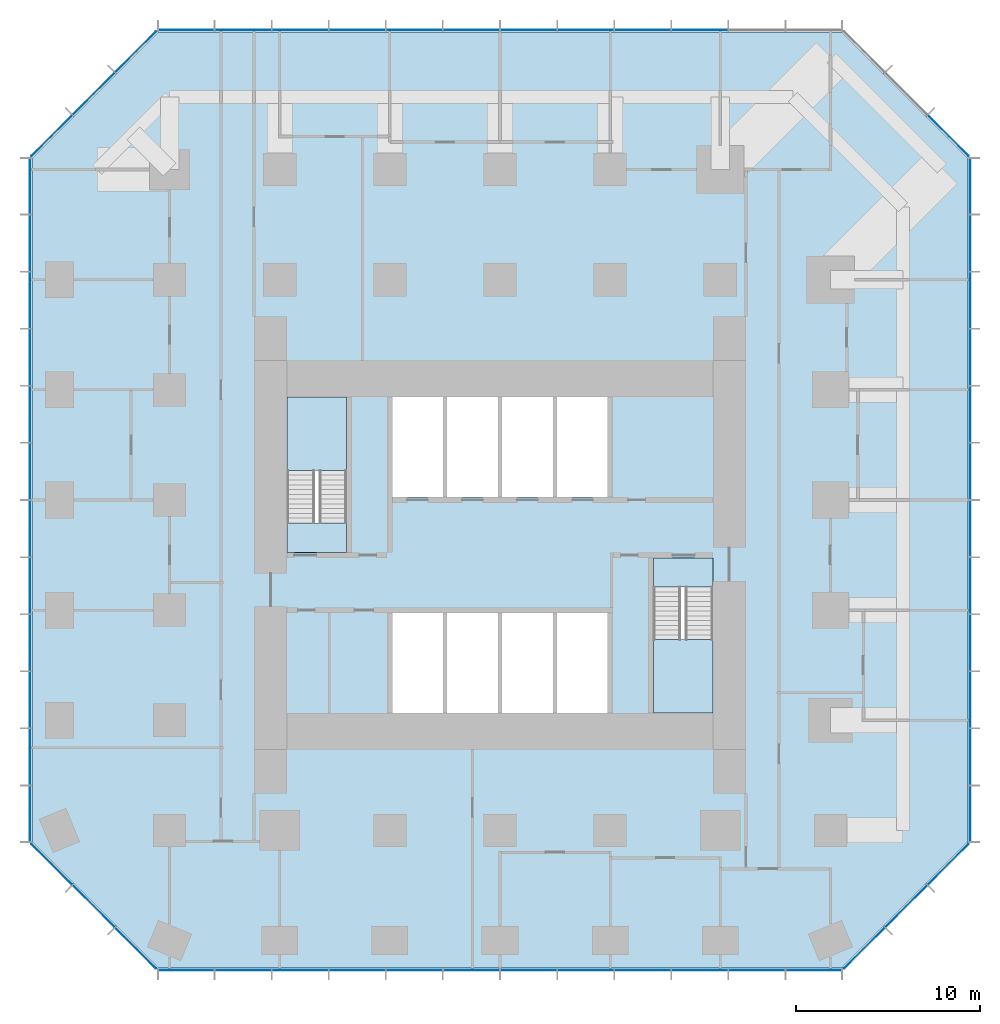
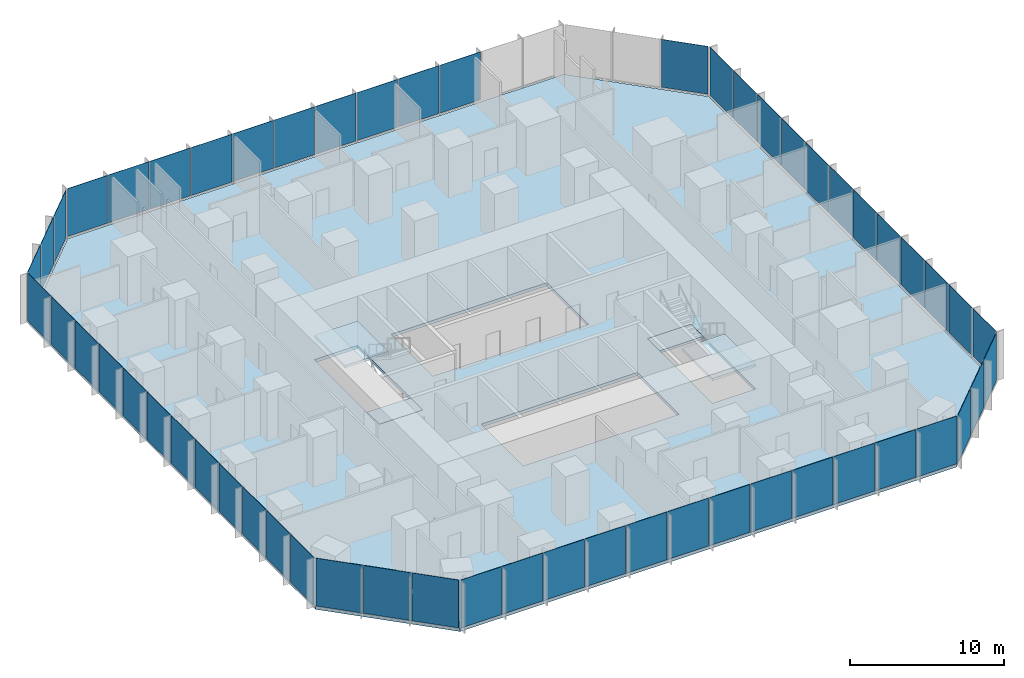
# One storey, part 7 of 12: 56 plates, 5 slabs, 10 elements without a shape of their own.
"""IFC4 building model written with IfcOpenShell, lengths in metres."""

from ifc_helpers import new_model, si_unit, direction, frame, origin, origin_2d, place, context, subcontext, project, spatial, polyline, rectangle, outline, extrude, material, layer, layer_set, type_object, element, aggregate, save


model = new_model("IFC4")

# Units and contexts
model_context = context("Model", 3, precision=1e-05, world=origin(), true_north=direction((0.0, 1.0)))
body_context = subcontext(model_context, "Body", "Model", "MODEL_VIEW")
ifc_project = project(units=[si_unit("LENGTHUNIT", "METRE"), si_unit("AREAUNIT", "SQUARE_METRE"), si_unit("VOLUMEUNIT", "CUBIC_METRE"), si_unit("PLANEANGLEUNIT", "RADIAN"), si_unit("MASSUNIT", "GRAM", prefix="KILO")], contexts=[model_context])

# Site, building, storey
site_placement = place(None, origin())
site = spatial("IfcSite", under=ifc_project, at=site_placement, CompositionType="ELEMENT")
building_placement = place(site_placement, origin())
building = spatial("IfcBuilding", under=site, at=building_placement, Name="Highveld Stack Headquarters", CompositionType="ELEMENT")
storey_placement = place(building_placement, frame((0.0, 0.0, 76.699951171875)))
storey = spatial("IfcBuildingStorey", under=building, at=storey_placement, Name="L18", CompositionType="ELEMENT", Elevation=76.699951171875)

# Curtain wall, plates
ifc_material_1 = material(Name="Aluminium bronze anodised", Category="aluminium")
ifc_layer_1 = layer(ifc_material_1, 0.199951171875)
ifc_layer_set_1 = layer_set([ifc_layer_1], Name="Aluminium bronze anodised")
curtain_wall_type_1 = type_object("IfcCurtainWallType", Name="CW1 TOWER UNITISED CURTAIN WALL", PredefinedType="NOTDEFINED", material=ifc_layer_set_1)
curtain_wall_1_placement = place(storey_placement, origin())
curtain_wall_1 = element("IfcCurtainWall", 1, at=curtain_wall_1_placement, inside=storey, type_object=curtain_wall_type_1, Name="Curtain wall CW1 L18 S", PredefinedType="NOTDEFINED")
ifc_material_2 = material(Name="Glass bronze tinted double glazed unit", Category="glass")
ifc_layer_2 = layer(ifc_material_2, 0.028076171875)
ifc_layer_set_2 = layer_set([ifc_layer_2], Name="Glass bronze tinted double glazed unit")
plate_type_1 = type_object("IfcPlateType", Name="CW1 PANEL BRONZE TINTED DOUBLE GLAZED UNIT", PredefinedType="CURTAIN_PANEL", material=ifc_layer_set_2)
plate_1_placement = place(storey_placement, frame((-11.09130859375, -19.60009765625, 0.10009765625), z_axis=(0.0, 0.0, 1.0), x_axis=(1.0, 0.0, 0.0)))
plate_1 = element("IfcPlate", 2, at=plate_1_placement, type_object=plate_type_1, Name="CW1 panel L18 1.1", PredefinedType="CURTAIN_PANEL", context=body_context, shape_type="SweptSolid", body=[
    extrude(rectangle(XDim=3.012939453125, YDim=0.028076171875, at=origin_2d()), origin(), (0.0, 0.0, 1.0), 3.800048828125),
])
plate_2_placement = place(storey_placement, frame((-7.9970703125, -19.60009765625, 0.10009765625), z_axis=(0.0, 0.0, 1.0), x_axis=(1.0, 0.0, 0.0)))
plate_2 = element("IfcPlate", 3, at=plate_2_placement, type_object=plate_type_1, Name="CW1 panel L18 2.1", PredefinedType="CURTAIN_PANEL", context=body_context, shape_type="SweptSolid", body=[
    extrude(rectangle(XDim=3.04541015625, YDim=0.028076171875, at=origin_2d()), origin(), (0.0, 0.0, 1.0), 3.800048828125),
])
plate_3_placement = place(storey_placement, frame((-4.88671875, -19.60009765625, 0.10009765625), z_axis=(0.0, 0.0, 1.0), x_axis=(1.0, 0.0, 0.0)))
plate_3 = element("IfcPlate", 4, at=plate_3_placement, type_object=plate_type_1, Name="CW1 panel L18 3.1", PredefinedType="CURTAIN_PANEL", context=body_context, shape_type="SweptSolid", body=[
    extrude(rectangle(XDim=3.04541015625, YDim=0.028076171875, at=origin_2d()), origin(), (0.0, 0.0, 1.0), 3.800048828125),
])
plate_4_placement = place(storey_placement, frame((-1.776123046875, -19.60009765625, 0.10009765625), z_axis=(0.0, 0.0, 1.0), x_axis=(1.0, 0.0, 0.0)))
plate_4 = element("IfcPlate", 5, at=plate_4_placement, type_object=plate_type_1, Name="CW1 panel L18 4.1", PredefinedType="CURTAIN_PANEL", context=body_context, shape_type="SweptSolid", body=[
    extrude(rectangle(XDim=3.04541015625, YDim=0.028076171875, at=origin_2d()), origin(), (0.0, 0.0, 1.0), 3.800048828125),
])
plate_5_placement = place(storey_placement, frame((1.334228515625, -19.60009765625, 0.10009765625), z_axis=(0.0, 0.0, 1.0), x_axis=(1.0, 0.0, 0.0)))
plate_5 = element("IfcPlate", 6, at=plate_5_placement, type_object=plate_type_1, Name="CW1 panel L18 5.1", PredefinedType="CURTAIN_PANEL", context=body_context, shape_type="SweptSolid", body=[
    extrude(rectangle(XDim=3.04541015625, YDim=0.028076171875, at=origin_2d()), origin(), (0.0, 0.0, 1.0), 3.800048828125),
])
plate_6_placement = place(storey_placement, frame((4.44482421875, -19.60009765625, 0.10009765625), z_axis=(0.0, 0.0, 1.0), x_axis=(1.0, 0.0, 0.0)))
plate_6 = element("IfcPlate", 7, at=plate_6_placement, type_object=plate_type_1, Name="CW1 panel L18 6.1", PredefinedType="CURTAIN_PANEL", context=body_context, shape_type="SweptSolid", body=[
    extrude(rectangle(XDim=3.04541015625, YDim=0.028076171875, at=origin_2d()), origin(), (0.0, 0.0, 1.0), 3.800048828125),
])
plate_7_placement = place(storey_placement, frame((7.55517578125, -19.60009765625, 0.10009765625), z_axis=(0.0, 0.0, 1.0), x_axis=(1.0, 0.0, 0.0)))
plate_7 = element("IfcPlate", 8, at=plate_7_placement, type_object=plate_type_1, Name="CW1 panel L18 7.1", PredefinedType="CURTAIN_PANEL", context=body_context, shape_type="SweptSolid", body=[
    extrude(rectangle(XDim=3.04541015625, YDim=0.028076171875, at=origin_2d()), origin(), (0.0, 0.0, 1.0), 3.800048828125),
])
plate_8_placement = place(storey_placement, frame((10.665771484375, -19.60009765625, 0.10009765625), z_axis=(0.0, 0.0, 1.0), x_axis=(1.0, 0.0, 0.0)))
plate_8 = element("IfcPlate", 9, at=plate_8_placement, type_object=plate_type_1, Name="CW1 panel L18 8.1", PredefinedType="CURTAIN_PANEL", context=body_context, shape_type="SweptSolid", body=[
    extrude(rectangle(XDim=3.04541015625, YDim=0.028076171875, at=origin_2d()), origin(), (0.0, 0.0, 1.0), 3.800048828125),
])
plate_9_placement = place(storey_placement, frame((13.776123046875, -19.60009765625, 0.10009765625), z_axis=(0.0, 0.0, 1.0), x_axis=(1.0, 0.0, 0.0)))
plate_9 = element("IfcPlate", 10, at=plate_9_placement, type_object=plate_type_1, Name="CW1 panel L18 9.1", PredefinedType="CURTAIN_PANEL", context=body_context, shape_type="SweptSolid", body=[
    extrude(rectangle(XDim=3.04541015625, YDim=0.028076171875, at=origin_2d()), origin(), (0.0, 0.0, 1.0), 3.800048828125),
])
plate_10_placement = place(storey_placement, frame((16.88671875, -19.60009765625, 0.10009765625), z_axis=(0.0, 0.0, 1.0), x_axis=(1.0, 0.0, 0.0)))
plate_10 = element("IfcPlate", 11, at=plate_10_placement, type_object=plate_type_1, Name="CW1 panel L18 10.1", PredefinedType="CURTAIN_PANEL", context=body_context, shape_type="SweptSolid", body=[
    extrude(rectangle(XDim=3.04541015625, YDim=0.028076171875, at=origin_2d()), origin(), (0.0, 0.0, 1.0), 3.800048828125),
])
plate_11_placement = place(storey_placement, frame((19.9970703125, -19.60009765625, 0.10009765625), z_axis=(0.0, 0.0, 1.0), x_axis=(1.0, 0.0, 0.0)))
plate_11 = element("IfcPlate", 12, at=plate_11_placement, type_object=plate_type_1, Name="CW1 panel L18 11.1", PredefinedType="CURTAIN_PANEL", context=body_context, shape_type="SweptSolid", body=[
    extrude(rectangle(XDim=3.04541015625, YDim=0.028076171875, at=origin_2d()), origin(), (0.0, 0.0, 1.0), 3.800048828125),
])
plate_12_placement = place(storey_placement, frame((23.09130859375, -19.60009765625, 0.10009765625), z_axis=(0.0, 0.0, 1.0), x_axis=(1.0, 0.0, 0.0)))
plate_12 = element("IfcPlate", 13, at=plate_12_placement, type_object=plate_type_1, Name="CW1 panel L18 12.1", PredefinedType="CURTAIN_PANEL", context=body_context, shape_type="SweptSolid", body=[
    extrude(rectangle(XDim=3.012939453125, YDim=0.028076171875, at=origin_2d()), origin(), (0.0, 0.0, 1.0), 3.800048828125),
])
aggregate(curtain_wall_1, [plate_1, plate_2, plate_3, plate_4, plate_5, plate_6, plate_7, plate_8, plate_9, plate_10, plate_11, plate_12])

curtain_wall_2_placement = place(storey_placement, origin())
curtain_wall_2 = element("IfcCurtainWall", 14, at=curtain_wall_2_placement, inside=storey, type_object=curtain_wall_type_1, Name="Curtain wall CW1 L18 E", PredefinedType="NOTDEFINED")
plate_13_placement = place(storey_placement, frame((31.60009765625, -11.09130859375, 0.10009765625), z_axis=(0.0, 0.0, 1.0), x_axis=(0.0, 1.0, 0.0)))
plate_13 = element("IfcPlate", 15, at=plate_13_placement, type_object=plate_type_1, Name="CW1 panel L18 1.1", PredefinedType="CURTAIN_PANEL", context=body_context, shape_type="SweptSolid", body=[
    extrude(rectangle(XDim=3.012939453125, YDim=0.028076171875, at=origin_2d()), origin(), (0.0, 0.0, 1.0), 3.800048828125),
])
plate_14_placement = place(storey_placement, frame((31.60009765625, -7.9970703125, 0.10009765625), z_axis=(0.0, 0.0, 1.0), x_axis=(0.0, 1.0, 0.0)))
plate_14 = element("IfcPlate", 16, at=plate_14_placement, type_object=plate_type_1, Name="CW1 panel L18 2.1", PredefinedType="CURTAIN_PANEL", context=body_context, shape_type="SweptSolid", body=[
    extrude(rectangle(XDim=3.04541015625, YDim=0.028076171875, at=origin_2d()), origin(), (0.0, 0.0, 1.0), 3.800048828125),
])
plate_15_placement = place(storey_placement, frame((31.60009765625, -4.88671875, 0.10009765625), z_axis=(0.0, 0.0, 1.0), x_axis=(0.0, 1.0, 0.0)))
plate_15 = element("IfcPlate", 17, at=plate_15_placement, type_object=plate_type_1, Name="CW1 panel L18 3.1", PredefinedType="CURTAIN_PANEL", context=body_context, shape_type="SweptSolid", body=[
    extrude(rectangle(XDim=3.04541015625, YDim=0.028076171875, at=origin_2d()), origin(), (0.0, 0.0, 1.0), 3.800048828125),
])
plate_16_placement = place(storey_placement, frame((31.60009765625, -1.776123046875, 0.10009765625), z_axis=(0.0, 0.0, 1.0), x_axis=(0.0, 1.0, 0.0)))
plate_16 = element("IfcPlate", 18, at=plate_16_placement, type_object=plate_type_1, Name="CW1 panel L18 4.1", PredefinedType="CURTAIN_PANEL", context=body_context, shape_type="SweptSolid", body=[
    extrude(rectangle(XDim=3.04541015625, YDim=0.028076171875, at=origin_2d()), origin(), (0.0, 0.0, 1.0), 3.800048828125),
])
plate_17_placement = place(storey_placement, frame((31.60009765625, 1.334228515625, 0.10009765625), z_axis=(0.0, 0.0, 1.0), x_axis=(0.0, 1.0, 0.0)))
plate_17 = element("IfcPlate", 19, at=plate_17_placement, type_object=plate_type_1, Name="CW1 panel L18 5.1", PredefinedType="CURTAIN_PANEL", context=body_context, shape_type="SweptSolid", body=[
    extrude(rectangle(XDim=3.04541015625, YDim=0.028076171875, at=origin_2d()), origin(), (0.0, 0.0, 1.0), 3.800048828125),
])
plate_18_placement = place(storey_placement, frame((31.60009765625, 4.44482421875, 0.10009765625), z_axis=(0.0, 0.0, 1.0), x_axis=(0.0, 1.0, 0.0)))
plate_18 = element("IfcPlate", 20, at=plate_18_placement, type_object=plate_type_1, Name="CW1 panel L18 6.1", PredefinedType="CURTAIN_PANEL", context=body_context, shape_type="SweptSolid", body=[
    extrude(rectangle(XDim=3.04541015625, YDim=0.028076171875, at=origin_2d()), origin(), (0.0, 0.0, 1.0), 3.800048828125),
])
plate_19_placement = place(storey_placement, frame((31.60009765625, 7.55517578125, 0.10009765625), z_axis=(0.0, 0.0, 1.0), x_axis=(0.0, 1.0, 0.0)))
plate_19 = element("IfcPlate", 21, at=plate_19_placement, type_object=plate_type_1, Name="CW1 panel L18 7.1", PredefinedType="CURTAIN_PANEL", context=body_context, shape_type="SweptSolid", body=[
    extrude(rectangle(XDim=3.04541015625, YDim=0.028076171875, at=origin_2d()), origin(), (0.0, 0.0, 1.0), 3.800048828125),
])
plate_20_placement = place(storey_placement, frame((31.60009765625, 10.665771484375, 0.10009765625), z_axis=(0.0, 0.0, 1.0), x_axis=(0.0, 1.0, 0.0)))
plate_20 = element("IfcPlate", 22, at=plate_20_placement, type_object=plate_type_1, Name="CW1 panel L18 8.1", PredefinedType="CURTAIN_PANEL", context=body_context, shape_type="SweptSolid", body=[
    extrude(rectangle(XDim=3.04541015625, YDim=0.028076171875, at=origin_2d()), origin(), (0.0, 0.0, 1.0), 3.800048828125),
])
plate_21_placement = place(storey_placement, frame((31.60009765625, 13.776123046875, 0.10009765625), z_axis=(0.0, 0.0, 1.0), x_axis=(0.0, 1.0, 0.0)))
plate_21 = element("IfcPlate", 23, at=plate_21_placement, type_object=plate_type_1, Name="CW1 panel L18 9.1", PredefinedType="CURTAIN_PANEL", context=body_context, shape_type="SweptSolid", body=[
    extrude(rectangle(XDim=3.04541015625, YDim=0.028076171875, at=origin_2d()), origin(), (0.0, 0.0, 1.0), 3.800048828125),
])
plate_22_placement = place(storey_placement, frame((31.60009765625, 16.88671875, 0.10009765625), z_axis=(0.0, 0.0, 1.0), x_axis=(0.0, 1.0, 0.0)))
plate_22 = element("IfcPlate", 24, at=plate_22_placement, type_object=plate_type_1, Name="CW1 panel L18 10.1", PredefinedType="CURTAIN_PANEL", context=body_context, shape_type="SweptSolid", body=[
    extrude(rectangle(XDim=3.04541015625, YDim=0.028076171875, at=origin_2d()), origin(), (0.0, 0.0, 1.0), 3.800048828125),
])
plate_23_placement = place(storey_placement, frame((31.60009765625, 19.9970703125, 0.10009765625), z_axis=(0.0, 0.0, 1.0), x_axis=(0.0, 1.0, 0.0)))
plate_23 = element("IfcPlate", 25, at=plate_23_placement, type_object=plate_type_1, Name="CW1 panel L18 11.1", PredefinedType="CURTAIN_PANEL", context=body_context, shape_type="SweptSolid", body=[
    extrude(rectangle(XDim=3.04541015625, YDim=0.028076171875, at=origin_2d()), origin(), (0.0, 0.0, 1.0), 3.800048828125),
])
plate_24_placement = place(storey_placement, frame((31.60009765625, 23.09130859375, 0.10009765625), z_axis=(0.0, 0.0, 1.0), x_axis=(0.0, 1.0, 0.0)))
plate_24 = element("IfcPlate", 26, at=plate_24_placement, type_object=plate_type_1, Name="CW1 panel L18 12.1", PredefinedType="CURTAIN_PANEL", context=body_context, shape_type="SweptSolid", body=[
    extrude(rectangle(XDim=3.012939453125, YDim=0.028076171875, at=origin_2d()), origin(), (0.0, 0.0, 1.0), 3.800048828125),
])
aggregate(curtain_wall_2, [plate_13, plate_14, plate_15, plate_16, plate_17, plate_18, plate_19, plate_20, plate_21, plate_22, plate_23, plate_24])

curtain_wall_3_placement = place(storey_placement, origin())
curtain_wall_3 = element("IfcCurtainWall", 27, at=curtain_wall_3_placement, inside=storey, type_object=curtain_wall_type_1, Name="Curtain wall CW1 L18 N", PredefinedType="NOTDEFINED")
plate_25_placement = place(storey_placement, frame((16.88671875, 31.60009765625, 0.10009765625), z_axis=(0.0, 0.0, 1.0), x_axis=(-1.0, 0.0, 0.0)))
plate_25 = element("IfcPlate", 28, at=plate_25_placement, type_object=plate_type_1, Name="CW1 panel L18 3.1", PredefinedType="CURTAIN_PANEL", context=body_context, shape_type="SweptSolid", body=[
    extrude(rectangle(XDim=3.04541015625, YDim=0.028076171875, at=origin_2d()), origin(), (0.0, 0.0, 1.0), 3.800048828125),
])
plate_26_placement = place(storey_placement, frame((13.776123046875, 31.60009765625, 0.10009765625), z_axis=(0.0, 0.0, 1.0), x_axis=(-1.0, 0.0, 0.0)))
plate_26 = element("IfcPlate", 29, at=plate_26_placement, type_object=plate_type_1, Name="CW1 panel L18 4.1", PredefinedType="CURTAIN_PANEL", context=body_context, shape_type="SweptSolid", body=[
    extrude(rectangle(XDim=3.04541015625, YDim=0.028076171875, at=origin_2d()), origin(), (0.0, 0.0, 1.0), 3.800048828125),
])
plate_27_placement = place(storey_placement, frame((10.665771484375, 31.60009765625, 0.10009765625), z_axis=(0.0, 0.0, 1.0), x_axis=(-1.0, 0.0, 0.0)))
plate_27 = element("IfcPlate", 30, at=plate_27_placement, type_object=plate_type_1, Name="CW1 panel L18 5.1", PredefinedType="CURTAIN_PANEL", context=body_context, shape_type="SweptSolid", body=[
    extrude(rectangle(XDim=3.04541015625, YDim=0.028076171875, at=origin_2d()), origin(), (0.0, 0.0, 1.0), 3.800048828125),
])
plate_28_placement = place(storey_placement, frame((7.55517578125, 31.60009765625, 0.10009765625), z_axis=(0.0, 0.0, 1.0), x_axis=(-1.0, 0.0, 0.0)))
plate_28 = element("IfcPlate", 31, at=plate_28_placement, type_object=plate_type_1, Name="CW1 panel L18 6.1", PredefinedType="CURTAIN_PANEL", context=body_context, shape_type="SweptSolid", body=[
    extrude(rectangle(XDim=3.04541015625, YDim=0.028076171875, at=origin_2d()), origin(), (0.0, 0.0, 1.0), 3.800048828125),
])
plate_29_placement = place(storey_placement, frame((4.44482421875, 31.60009765625, 0.10009765625), z_axis=(0.0, 0.0, 1.0), x_axis=(-1.0, 0.0, 0.0)))
plate_29 = element("IfcPlate", 32, at=plate_29_placement, type_object=plate_type_1, Name="CW1 panel L18 7.1", PredefinedType="CURTAIN_PANEL", context=body_context, shape_type="SweptSolid", body=[
    extrude(rectangle(XDim=3.04541015625, YDim=0.028076171875, at=origin_2d()), origin(), (0.0, 0.0, 1.0), 3.800048828125),
])
plate_30_placement = place(storey_placement, frame((1.334228515625, 31.60009765625, 0.10009765625), z_axis=(0.0, 0.0, 1.0), x_axis=(-1.0, 0.0, 0.0)))
plate_30 = element("IfcPlate", 33, at=plate_30_placement, type_object=plate_type_1, Name="CW1 panel L18 8.1", PredefinedType="CURTAIN_PANEL", context=body_context, shape_type="SweptSolid", body=[
    extrude(rectangle(XDim=3.04541015625, YDim=0.028076171875, at=origin_2d()), origin(), (0.0, 0.0, 1.0), 3.800048828125),
])
plate_31_placement = place(storey_placement, frame((-1.776123046875, 31.60009765625, 0.10009765625), z_axis=(0.0, 0.0, 1.0), x_axis=(-1.0, 0.0, 0.0)))
plate_31 = element("IfcPlate", 34, at=plate_31_placement, type_object=plate_type_1, Name="CW1 panel L18 9.1", PredefinedType="CURTAIN_PANEL", context=body_context, shape_type="SweptSolid", body=[
    extrude(rectangle(XDim=3.04541015625, YDim=0.028076171875, at=origin_2d()), origin(), (0.0, 0.0, 1.0), 3.800048828125),
])
plate_32_placement = place(storey_placement, frame((-4.88671875, 31.60009765625, 0.10009765625), z_axis=(0.0, 0.0, 1.0), x_axis=(-1.0, 0.0, 0.0)))
plate_32 = element("IfcPlate", 35, at=plate_32_placement, type_object=plate_type_1, Name="CW1 panel L18 10.1", PredefinedType="CURTAIN_PANEL", context=body_context, shape_type="SweptSolid", body=[
    extrude(rectangle(XDim=3.04541015625, YDim=0.028076171875, at=origin_2d()), origin(), (0.0, 0.0, 1.0), 3.800048828125),
])
plate_33_placement = place(storey_placement, frame((-7.9970703125, 31.60009765625, 0.10009765625), z_axis=(0.0, 0.0, 1.0), x_axis=(-1.0, 0.0, 0.0)))
plate_33 = element("IfcPlate", 36, at=plate_33_placement, type_object=plate_type_1, Name="CW1 panel L18 11.1", PredefinedType="CURTAIN_PANEL", context=body_context, shape_type="SweptSolid", body=[
    extrude(rectangle(XDim=3.04541015625, YDim=0.028076171875, at=origin_2d()), origin(), (0.0, 0.0, 1.0), 3.800048828125),
])
plate_34_placement = place(storey_placement, frame((-11.09130859375, 31.60009765625, 0.10009765625), z_axis=(0.0, 0.0, 1.0), x_axis=(-1.0, 0.0, 0.0)))
plate_34 = element("IfcPlate", 37, at=plate_34_placement, type_object=plate_type_1, Name="CW1 panel L18 12.1", PredefinedType="CURTAIN_PANEL", context=body_context, shape_type="SweptSolid", body=[
    extrude(rectangle(XDim=3.012939453125, YDim=0.028076171875, at=origin_2d()), origin(), (0.0, 0.0, 1.0), 3.800048828125),
])
aggregate(curtain_wall_3, [plate_25, plate_26, plate_27, plate_28, plate_29, plate_30, plate_31, plate_32, plate_33, plate_34])

curtain_wall_4_placement = place(storey_placement, origin())
curtain_wall_4 = element("IfcCurtainWall", 38, at=curtain_wall_4_placement, inside=storey, type_object=curtain_wall_type_1, Name="Curtain wall CW1 L18 W", PredefinedType="NOTDEFINED")
plate_35_placement = place(storey_placement, frame((-19.60009765625, 23.09130859375, 0.10009765625), z_axis=(0.0, 0.0, 1.0), x_axis=(0.0, -1.0, 0.0)))
plate_35 = element("IfcPlate", 39, at=plate_35_placement, type_object=plate_type_1, Name="CW1 panel L18 1.1", PredefinedType="CURTAIN_PANEL", context=body_context, shape_type="SweptSolid", body=[
    extrude(rectangle(XDim=3.012939453125, YDim=0.028076171875, at=origin_2d()), origin(), (0.0, 0.0, 1.0), 3.800048828125),
])
plate_36_placement = place(storey_placement, frame((-19.60009765625, 19.9970703125, 0.10009765625), z_axis=(0.0, 0.0, 1.0), x_axis=(0.0, -1.0, 0.0)))
plate_36 = element("IfcPlate", 40, at=plate_36_placement, type_object=plate_type_1, Name="CW1 panel L18 2.1", PredefinedType="CURTAIN_PANEL", context=body_context, shape_type="SweptSolid", body=[
    extrude(rectangle(XDim=3.04541015625, YDim=0.028076171875, at=origin_2d()), origin(), (0.0, 0.0, 1.0), 3.800048828125),
])
plate_37_placement = place(storey_placement, frame((-19.60009765625, 16.88671875, 0.10009765625), z_axis=(0.0, 0.0, 1.0), x_axis=(0.0, -1.0, 0.0)))
plate_37 = element("IfcPlate", 41, at=plate_37_placement, type_object=plate_type_1, Name="CW1 panel L18 3.1", PredefinedType="CURTAIN_PANEL", context=body_context, shape_type="SweptSolid", body=[
    extrude(rectangle(XDim=3.04541015625, YDim=0.028076171875, at=origin_2d()), origin(), (0.0, 0.0, 1.0), 3.800048828125),
])
plate_38_placement = place(storey_placement, frame((-19.60009765625, 13.776123046875, 0.10009765625), z_axis=(0.0, 0.0, 1.0), x_axis=(0.0, -1.0, 0.0)))
plate_38 = element("IfcPlate", 42, at=plate_38_placement, type_object=plate_type_1, Name="CW1 panel L18 4.1", PredefinedType="CURTAIN_PANEL", context=body_context, shape_type="SweptSolid", body=[
    extrude(rectangle(XDim=3.04541015625, YDim=0.028076171875, at=origin_2d()), origin(), (0.0, 0.0, 1.0), 3.800048828125),
])
plate_39_placement = place(storey_placement, frame((-19.60009765625, 10.665771484375, 0.10009765625), z_axis=(0.0, 0.0, 1.0), x_axis=(0.0, -1.0, 0.0)))
plate_39 = element("IfcPlate", 43, at=plate_39_placement, type_object=plate_type_1, Name="CW1 panel L18 5.1", PredefinedType="CURTAIN_PANEL", context=body_context, shape_type="SweptSolid", body=[
    extrude(rectangle(XDim=3.04541015625, YDim=0.028076171875, at=origin_2d()), origin(), (0.0, 0.0, 1.0), 3.800048828125),
])
plate_40_placement = place(storey_placement, frame((-19.60009765625, 7.55517578125, 0.10009765625), z_axis=(0.0, 0.0, 1.0), x_axis=(0.0, -1.0, 0.0)))
plate_40 = element("IfcPlate", 44, at=plate_40_placement, type_object=plate_type_1, Name="CW1 panel L18 6.1", PredefinedType="CURTAIN_PANEL", context=body_context, shape_type="SweptSolid", body=[
    extrude(rectangle(XDim=3.04541015625, YDim=0.028076171875, at=origin_2d()), origin(), (0.0, 0.0, 1.0), 3.800048828125),
])
plate_41_placement = place(storey_placement, frame((-19.60009765625, 4.44482421875, 0.10009765625), z_axis=(0.0, 0.0, 1.0), x_axis=(0.0, -1.0, 0.0)))
plate_41 = element("IfcPlate", 45, at=plate_41_placement, type_object=plate_type_1, Name="CW1 panel L18 7.1", PredefinedType="CURTAIN_PANEL", context=body_context, shape_type="SweptSolid", body=[
    extrude(rectangle(XDim=3.04541015625, YDim=0.028076171875, at=origin_2d()), origin(), (0.0, 0.0, 1.0), 3.800048828125),
])
plate_42_placement = place(storey_placement, frame((-19.60009765625, 1.334228515625, 0.10009765625), z_axis=(0.0, 0.0, 1.0), x_axis=(0.0, -1.0, 0.0)))
plate_42 = element("IfcPlate", 46, at=plate_42_placement, type_object=plate_type_1, Name="CW1 panel L18 8.1", PredefinedType="CURTAIN_PANEL", context=body_context, shape_type="SweptSolid", body=[
    extrude(rectangle(XDim=3.04541015625, YDim=0.028076171875, at=origin_2d()), origin(), (0.0, 0.0, 1.0), 3.800048828125),
])
plate_43_placement = place(storey_placement, frame((-19.60009765625, -1.776123046875, 0.10009765625), z_axis=(0.0, 0.0, 1.0), x_axis=(0.0, -1.0, 0.0)))
plate_43 = element("IfcPlate", 47, at=plate_43_placement, type_object=plate_type_1, Name="CW1 panel L18 9.1", PredefinedType="CURTAIN_PANEL", context=body_context, shape_type="SweptSolid", body=[
    extrude(rectangle(XDim=3.04541015625, YDim=0.028076171875, at=origin_2d()), origin(), (0.0, 0.0, 1.0), 3.800048828125),
])
plate_44_placement = place(storey_placement, frame((-19.60009765625, -4.88671875, 0.10009765625), z_axis=(0.0, 0.0, 1.0), x_axis=(0.0, -1.0, 0.0)))
plate_44 = element("IfcPlate", 48, at=plate_44_placement, type_object=plate_type_1, Name="CW1 panel L18 10.1", PredefinedType="CURTAIN_PANEL", context=body_context, shape_type="SweptSolid", body=[
    extrude(rectangle(XDim=3.04541015625, YDim=0.028076171875, at=origin_2d()), origin(), (0.0, 0.0, 1.0), 3.800048828125),
])
plate_45_placement = place(storey_placement, frame((-19.60009765625, -7.9970703125, 0.10009765625), z_axis=(0.0, 0.0, 1.0), x_axis=(0.0, -1.0, 0.0)))
plate_45 = element("IfcPlate", 49, at=plate_45_placement, type_object=plate_type_1, Name="CW1 panel L18 11.1", PredefinedType="CURTAIN_PANEL", context=body_context, shape_type="SweptSolid", body=[
    extrude(rectangle(XDim=3.04541015625, YDim=0.028076171875, at=origin_2d()), origin(), (0.0, 0.0, 1.0), 3.800048828125),
])
plate_46_placement = place(storey_placement, frame((-19.60009765625, -11.09130859375, 0.10009765625), z_axis=(0.0, 0.0, 1.0), x_axis=(0.0, -1.0, 0.0)))
plate_46 = element("IfcPlate", 50, at=plate_46_placement, type_object=plate_type_1, Name="CW1 panel L18 12.1", PredefinedType="CURTAIN_PANEL", context=body_context, shape_type="SweptSolid", body=[
    extrude(rectangle(XDim=3.012939453125, YDim=0.028076171875, at=origin_2d()), origin(), (0.0, 0.0, 1.0), 3.800048828125),
])
aggregate(curtain_wall_4, [plate_35, plate_36, plate_37, plate_38, plate_39, plate_40, plate_41, plate_42, plate_43, plate_44, plate_45, plate_46])

ifc_material_3 = material(Name="Aluminium bronze anodised", Category="aluminium")
ifc_layer_3 = layer(ifc_material_3, 0.199951171875)
ifc_layer_set_3 = layer_set([ifc_layer_3], Name="Aluminium bronze anodised")
curtain_wall_type_2 = type_object("IfcCurtainWallType", Name="CW2 TOWER CHAMFER UNITISED CURTAIN WALL", PredefinedType="NOTDEFINED", material=ifc_layer_set_3)
curtain_wall_5_placement = place(storey_placement, origin())
curtain_wall_5 = element("IfcCurtainWall", 51, at=curtain_wall_5_placement, inside=storey, type_object=curtain_wall_type_2, Name="Curtain wall CW2 L18 SE", PredefinedType="NOTDEFINED")
ifc_material_4 = material(Name="Glass bronze tinted double glazed unit", Category="glass")
ifc_layer_4 = layer(ifc_material_4, 0.028076171875)
ifc_layer_set_4 = layer_set([ifc_layer_4], Name="Glass bronze tinted double glazed unit")
plate_type_2 = type_object("IfcPlateType", Name="CW2 PANEL BRONZE TINTED DOUBLE GLAZED UNIT", PredefinedType="CURTAIN_PANEL", material=ifc_layer_set_4)
plate_47_placement = place(storey_placement, frame((25.8427734375, -18.419921875, 0.10009765625), z_axis=(0.0, 0.0, 1.0), x_axis=(0.707106781187, 0.707106781187, 0.0)))
plate_47 = element("IfcPlate", 52, at=plate_47_placement, type_object=plate_type_2, Name="CW2 panel L18 1.1", PredefinedType="CURTAIN_PANEL", context=body_context, shape_type="SweptSolid", body=[
    extrude(rectangle(XDim=3.1376953125, YDim=0.028076171875, at=origin_2d()), origin(), (0.0, 0.0, 1.0), 3.800048828125),
])
plate_48_placement = place(storey_placement, frame((28.13134765625, -16.13134765625, 0.10009765625), z_axis=(0.0, 0.0, 1.0), x_axis=(0.707106781187, 0.707106781187, 0.0)))
plate_48 = element("IfcPlate", 53, at=plate_48_placement, type_object=plate_type_2, Name="CW2 panel L18 2.1", PredefinedType="CURTAIN_PANEL", context=body_context, shape_type="SweptSolid", body=[
    extrude(rectangle(XDim=3.205322265625, YDim=0.028076171875, at=origin_2d()), origin(), (0.0, 0.0, 1.0), 3.800048828125),
])
plate_49_placement = place(storey_placement, frame((30.419921875, -13.8427734375, 0.10009765625), z_axis=(0.0, 0.0, 1.0), x_axis=(0.707106781187, 0.707106781187, 0.0)))
plate_49 = element("IfcPlate", 54, at=plate_49_placement, type_object=plate_type_2, Name="CW2 panel L18 3.1", PredefinedType="CURTAIN_PANEL", context=body_context, shape_type="SweptSolid", body=[
    extrude(rectangle(XDim=3.1376953125, YDim=0.028076171875, at=origin_2d()), origin(), (0.0, 0.0, 1.0), 3.800048828125),
])
aggregate(curtain_wall_5, [plate_47, plate_48, plate_49])

# Curtain wall, plate
curtain_wall_6_placement = place(storey_placement, origin())
curtain_wall_6 = element("IfcCurtainWall", 55, at=curtain_wall_6_placement, inside=storey, type_object=curtain_wall_type_2, Name="Curtain wall CW2 L18 NE", PredefinedType="NOTDEFINED")
plate_50_placement = place(storey_placement, frame((30.419921875, 25.8427734375, 0.10009765625), z_axis=(0.0, 0.0, 1.0), x_axis=(-0.707106781187, 0.707106781187, 0.0)))
plate_50 = element("IfcPlate", 56, at=plate_50_placement, type_object=plate_type_2, Name="CW2 panel L18 1.1", PredefinedType="CURTAIN_PANEL", context=body_context, shape_type="SweptSolid", body=[
    extrude(rectangle(XDim=3.1376953125, YDim=0.028076171875, at=origin_2d()), origin(), (0.0, 0.0, 1.0), 3.800048828125),
])
aggregate(curtain_wall_6, [plate_50])

# Curtain wall, plates
curtain_wall_7_placement = place(storey_placement, origin())
curtain_wall_7 = element("IfcCurtainWall", 57, at=curtain_wall_7_placement, inside=storey, type_object=curtain_wall_type_2, Name="Curtain wall CW2 L18 NW", PredefinedType="NOTDEFINED")
plate_51_placement = place(storey_placement, frame((-13.8427734375, 30.419921875, 0.10009765625), z_axis=(0.0, 0.0, 1.0), x_axis=(-0.707106781187, -0.707106781187, 0.0)))
plate_51 = element("IfcPlate", 58, at=plate_51_placement, type_object=plate_type_2, Name="CW2 panel L18 1.1", PredefinedType="CURTAIN_PANEL", context=body_context, shape_type="SweptSolid", body=[
    extrude(rectangle(XDim=3.1376953125, YDim=0.028076171875, at=origin_2d()), origin(), (0.0, 0.0, 1.0), 3.800048828125),
])
plate_52_placement = place(storey_placement, frame((-16.13134765625, 28.13134765625, 0.10009765625), z_axis=(0.0, 0.0, 1.0), x_axis=(-0.707106781187, -0.707106781187, 0.0)))
plate_52 = element("IfcPlate", 59, at=plate_52_placement, type_object=plate_type_2, Name="CW2 panel L18 2.1", PredefinedType="CURTAIN_PANEL", context=body_context, shape_type="SweptSolid", body=[
    extrude(rectangle(XDim=3.205322265625, YDim=0.028076171875, at=origin_2d()), origin(), (0.0, 0.0, 1.0), 3.800048828125),
])
plate_53_placement = place(storey_placement, frame((-18.419921875, 25.8427734375, 0.10009765625), z_axis=(0.0, 0.0, 1.0), x_axis=(-0.707106781187, -0.707106781187, 0.0)))
plate_53 = element("IfcPlate", 60, at=plate_53_placement, type_object=plate_type_2, Name="CW2 panel L18 3.1", PredefinedType="CURTAIN_PANEL", context=body_context, shape_type="SweptSolid", body=[
    extrude(rectangle(XDim=3.1376953125, YDim=0.028076171875, at=origin_2d()), origin(), (0.0, 0.0, 1.0), 3.800048828125),
])
aggregate(curtain_wall_7, [plate_51, plate_52, plate_53])

curtain_wall_8_placement = place(storey_placement, origin())
curtain_wall_8 = element("IfcCurtainWall", 61, at=curtain_wall_8_placement, inside=storey, type_object=curtain_wall_type_2, Name="Curtain wall CW2 L18 SW", PredefinedType="NOTDEFINED")
plate_54_placement = place(storey_placement, frame((-18.419921875, -13.8427734375, 0.10009765625), z_axis=(0.0, 0.0, 1.0), x_axis=(0.707106781187, -0.707106781187, 0.0)))
plate_54 = element("IfcPlate", 62, at=plate_54_placement, type_object=plate_type_2, Name="CW2 panel L18 1.1", PredefinedType="CURTAIN_PANEL", context=body_context, shape_type="SweptSolid", body=[
    extrude(rectangle(XDim=3.1376953125, YDim=0.028076171875, at=origin_2d()), origin(), (0.0, 0.0, 1.0), 3.800048828125),
])
plate_55_placement = place(storey_placement, frame((-16.13134765625, -16.13134765625, 0.10009765625), z_axis=(0.0, 0.0, 1.0), x_axis=(0.707106781187, -0.707106781187, 0.0)))
plate_55 = element("IfcPlate", 63, at=plate_55_placement, type_object=plate_type_2, Name="CW2 panel L18 2.1", PredefinedType="CURTAIN_PANEL", context=body_context, shape_type="SweptSolid", body=[
    extrude(rectangle(XDim=3.205322265625, YDim=0.028076171875, at=origin_2d()), origin(), (0.0, 0.0, 1.0), 3.800048828125),
])
plate_56_placement = place(storey_placement, frame((-13.8427734375, -18.419921875, 0.10009765625), z_axis=(0.0, 0.0, 1.0), x_axis=(0.707106781187, -0.707106781187, 0.0)))
plate_56 = element("IfcPlate", 64, at=plate_56_placement, type_object=plate_type_2, Name="CW2 panel L18 3.1", PredefinedType="CURTAIN_PANEL", context=body_context, shape_type="SweptSolid", body=[
    extrude(rectangle(XDim=3.1376953125, YDim=0.028076171875, at=origin_2d()), origin(), (0.0, 0.0, 1.0), 3.800048828125),
])
aggregate(curtain_wall_8, [plate_54, plate_55, plate_56])

# Slab
ifc_material_5 = material(Name="Concrete C60/75", Category="concrete")
ifc_layer_5 = layer(ifc_material_5, 0.25)
ifc_layer_set_5 = layer_set([ifc_layer_5], Name="Concrete C60/75")
slab_type_1 = type_object("IfcSlabType", Name="PT FLAT SLAB 250", PredefinedType="FLOOR", material=ifc_layer_set_5)
slab_1_placement = place(storey_placement, frame((0.0, 0.0, -0.25)))
element("IfcSlab", 65, at=slab_1_placement, inside=storey, type_object=slab_type_1, Name="Floor slab L18", PredefinedType="FLOOR", context=body_context, shape_type="SweptSolid", body=[
    extrude(outline(polyline([(-12.621337890625, -19.5), (24.621337890625, -19.5), (31.5, -12.621337890625), (31.5, 24.621337890625), (24.621337890625, 31.5), (-12.621337890625, 31.5), (-19.5, 24.621337890625), (-19.5, -12.621337890625), (-12.621337890625, -19.5)]), holes=[polyline([(0.14990234375, 6.14990234375), (11.85009765625, 6.14990234375), (11.85009765625, 11.60009765625), (0.14990234375, 11.60009765625), (0.14990234375, 6.14990234375)]), polyline([(0.14990234375, -5.60009765625), (11.85009765625, -5.60009765625), (11.85009765625, -0.14990234375), (0.14990234375, -0.14990234375), (0.14990234375, -5.60009765625)]), polyline([(-5.60009765625, 3.14990234375), (-2.35009765625, 3.14990234375), (-2.35009765625, 11.60009765625), (-5.60009765625, 11.60009765625), (-5.60009765625, 3.14990234375)]), polyline([(14.35009765625, -5.60009765625), (17.60009765625, -5.60009765625), (17.60009765625, 2.85009765625), (14.35009765625, 2.85009765625), (14.35009765625, -5.60009765625)])]), origin(), (0.0, 0.0, 1.0), 0.25),
])

# Stair, slabs
ifc_material_6 = material(Name="Concrete C40/50, precast", Category="concrete")
stair_type_1 = type_object("IfcStairType", Name="STAIR S1 HALF TURN 1500", PredefinedType="HALF_TURN_STAIR", material=ifc_material_6)
stair_1_placement = place(storey_placement, origin())
stair_1 = element("IfcStair", 66, at=stair_1_placement, inside=storey, type_object=stair_type_1, Name="Stair S1 L18", PredefinedType="HALF_TURN_STAIR")
ifc_material_7 = material(Name="Concrete C40/50, precast", Category="concrete")
ifc_layer_6 = layer(ifc_material_7, 0.199951171875)
ifc_layer_set_6 = layer_set([ifc_layer_6], Name="Concrete C40/50, precast")
slab_type_2 = type_object("IfcSlabType", Name="STAIR LANDING 200", PredefinedType="LANDING", material=ifc_layer_set_6)
slab_2_placement = place(storey_placement, frame((0.0, 0.0, 1.75)))
slab_2 = element("IfcSlab", 67, at=slab_2_placement, type_object=slab_type_2, Name="S1 landing 1", PredefinedType="LANDING", context=body_context, shape_type="SweptSolid", body=[
    extrude(outline(polyline([(-5.60009765625, 7.610107421875), (-2.35009765625, 7.610107421875), (-2.35009765625, 11.60009765625), (-5.60009765625, 11.60009765625), (-5.60009765625, 7.610107421875)])), origin(), (0.0, 0.0, 1.0), 0.199951171875),
])
slab_3_placement = place(storey_placement, frame((0.0, 0.0, -0.199951171875)))
slab_3 = element("IfcSlab", 68, at=slab_3_placement, type_object=slab_type_2, Name="S1 landing 2", PredefinedType="LANDING", context=body_context, shape_type="SweptSolid", body=[
    extrude(outline(polyline([(-5.60009765625, 3.14990234375), (-2.35009765625, 3.14990234375), (-2.35009765625, 4.75), (-5.60009765625, 4.75), (-5.60009765625, 3.14990234375)])), origin(), (0.0, 0.0, 1.0), 0.199951171875),
])
aggregate(stair_1, [slab_2, slab_3])

ifc_material_8 = material(Name="Concrete C40/50, precast", Category="concrete")
stair_type_2 = type_object("IfcStairType", Name="STAIR S2 HALF TURN 1500", PredefinedType="HALF_TURN_STAIR", material=ifc_material_8)
stair_2_placement = place(storey_placement, origin())
stair_2 = element("IfcStair", 69, at=stair_2_placement, inside=storey, type_object=stair_type_2, Name="Stair S2 L18", PredefinedType="HALF_TURN_STAIR")
slab_4_placement = place(storey_placement, frame((0.0, 0.0, 1.75)))
slab_4 = element("IfcSlab", 70, at=slab_4_placement, type_object=slab_type_2, Name="S2 landing 1", PredefinedType="LANDING", context=body_context, shape_type="SweptSolid", body=[
    extrude(outline(polyline([(14.35009765625, -5.60009765625), (17.60009765625, -5.60009765625), (17.60009765625, -1.610107421875), (14.35009765625, -1.610107421875), (14.35009765625, -5.60009765625)])), origin(), (0.0, 0.0, 1.0), 0.199951171875),
])
slab_5_placement = place(storey_placement, frame((0.0, 0.0, -0.199951171875)))
slab_5 = element("IfcSlab", 71, at=slab_5_placement, type_object=slab_type_2, Name="S2 landing 2", PredefinedType="LANDING", context=body_context, shape_type="SweptSolid", body=[
    extrude(outline(polyline([(14.35009765625, 1.25), (17.60009765625, 1.25), (17.60009765625, 2.85009765625), (14.35009765625, 2.85009765625), (14.35009765625, 1.25)])), origin(), (0.0, 0.0, 1.0), 0.199951171875),
])
aggregate(stair_2, [slab_4, slab_5])

save(model, "model.ifc")
